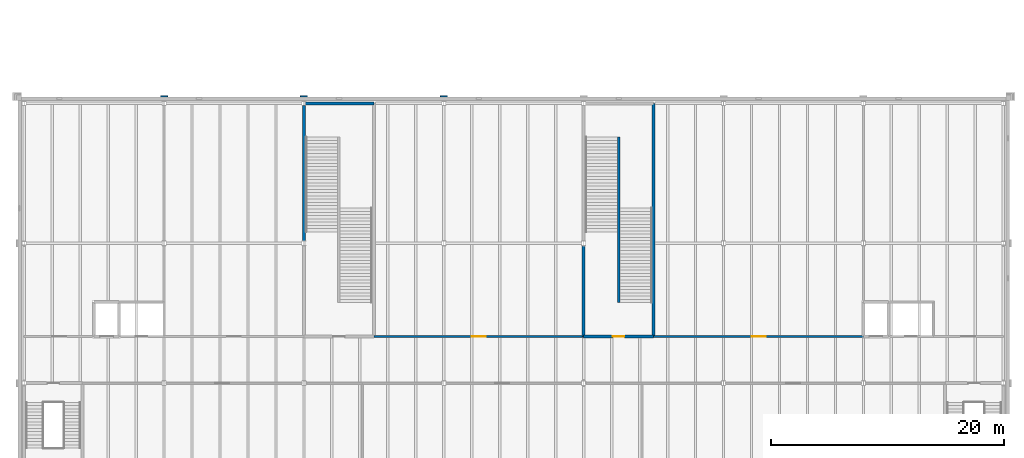
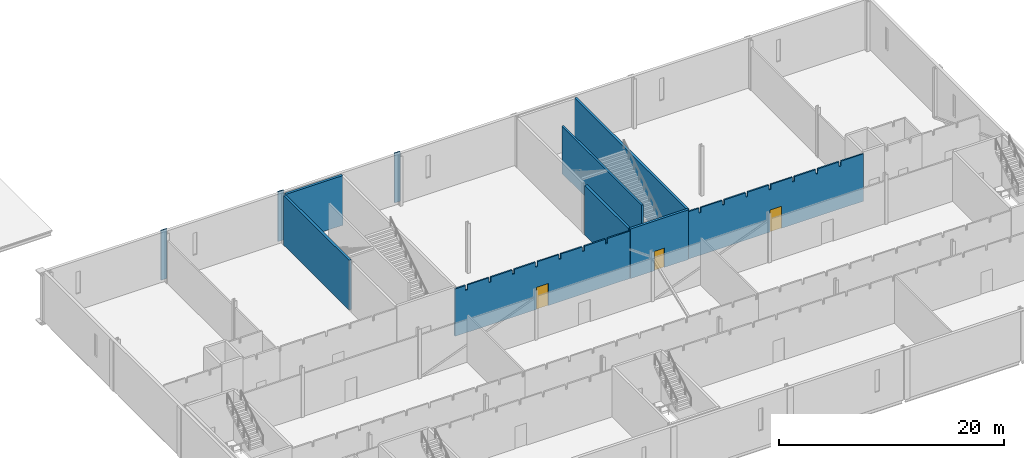
# One storey, part 106 of 170: 11 walls, 3 doors, 3 openings.
"""IFC4 building model written with IfcOpenShell, lengths in metres."""

import ifcopenshell
import ifcopenshell.guid

model = None  # the IFC model being written
_history = None  # IfcOwnerHistory: only IFC2X3 demands one
_inside = {}  # id of a spatial element -> (the spatial element, [elements in it])
_under = {}  # id of a project, library or spatial element -> (it, [spatial elements below it])
_declared = {}  # id of a project -> (the project, [libraries it declares])
_typed = {}  # id of a type object -> (the type object, [elements of that type])
_made_of = {}  # id of a material, layer set ... -> (it, [elements and type objects made of it])


def new_model(schema):
    """Start an empty IFC model of exactly this schema.

    Asked for "IFC4X3", IfcOpenShell would pick the latest addendum, in which some entities
    have other attributes; the version numbers below select the first issue.
    IFC2X3 requires an IfcOwnerHistory on every rooted entity: one is made here for all.
    """
    global model, _history
    if schema == "IFC4X3":
        model = ifcopenshell.file(schema_version=(4, 3, 0, 0))
    else:
        model = ifcopenshell.file(schema=schema)
    _inside.clear()
    _under.clear()
    _declared.clear()
    _typed.clear()
    _made_of.clear()
    _history = None
    if model.schema == "IFC2X3":
        org = make("IfcOrganization", Name="unknown")
        user = make(
            "IfcPersonAndOrganization",
            ThePerson=make("IfcPerson", FamilyName="unknown"),
            TheOrganization=org,
        )
        app = make(
            "IfcApplication",
            ApplicationDeveloper=org,
            Version="unknown",
            ApplicationFullName="unknown",
            ApplicationIdentifier="unknown",
        )
        _history = make(
            "IfcOwnerHistory",
            OwningUser=user,
            OwningApplication=app,
            ChangeAction="ADDED",
            CreationDate=0,
        )
    return model


def make(cls, **values):
    """One entity of the class cls with the attributes given. An attribute that is None is left unset."""
    return model.create_entity(
        cls, **{name: value for name, value in values.items() if value is not None}
    )


def rooted(cls, **values):
    """An entity with a GlobalId (a new one), such as an element, a storey or a relation."""
    return make(cls, GlobalId=ifcopenshell.guid.new(), OwnerHistory=_history, **values)


def si_unit(unit_type, name, prefix=None):
    """IfcSIUnit, for example si_unit("LENGTHUNIT", "METRE", prefix="MILLI")."""
    return make("IfcSIUnit", UnitType=unit_type, Prefix=prefix, Name=name)


def assignment(units):
    """IfcUnitAssignment: the units of a project."""
    return None if units is None else make("IfcUnitAssignment", Units=units)


def point(xyz):
    """IfcCartesianPoint."""
    return None if xyz is None else make("IfcCartesianPoint", Coordinates=xyz)


def direction(xyz):
    """IfcDirection."""
    return None if xyz is None else make("IfcDirection", DirectionRatios=xyz)


def frame(location, z_axis=None, x_axis=None):
    """IfcAxis2Placement3D, a coordinate frame: its origin and axes. An axis left out is left unset."""
    return make(
        "IfcAxis2Placement3D",
        Location=point(location),
        Axis=direction(z_axis),
        RefDirection=direction(x_axis),
    )


def frame_2d(location, x_axis=None):
    """IfcAxis2Placement2D, a coordinate frame in the plane: its origin and x axis."""
    return make(
        "IfcAxis2Placement2D", Location=point(location), RefDirection=direction(x_axis)
    )


def origin():
    """The frame at (0, 0, 0) with its axes left unset."""
    return frame((0.0, 0.0, 0.0))


def place(relative_to, where):
    """IfcLocalPlacement: puts the frame where relative to a parent placement (None: the world)."""
    return make(
        "IfcLocalPlacement", PlacementRelTo=relative_to, RelativePlacement=where
    )


def context(
    kind, dimensions, precision=None, world=None, true_north=None, identifier=None
):
    """IfcGeometricRepresentationContext, for example the 3D "Model" context."""
    return make(
        "IfcGeometricRepresentationContext",
        ContextIdentifier=identifier,
        ContextType=kind,
        CoordinateSpaceDimension=dimensions,
        Precision=precision,
        WorldCoordinateSystem=world,
        TrueNorth=true_north,
    )


def subcontext(parent, identifier, kind, view, scale=None):
    """IfcGeometricRepresentationSubContext, for example "Body" below "Model"."""
    return make(
        "IfcGeometricRepresentationSubContext",
        ContextIdentifier=identifier,
        ContextType=kind,
        ParentContext=parent,
        TargetScale=scale,
        TargetView=view,
    )


def project(units=None, contexts=None):
    """IfcProject with its units and contexts."""
    return rooted(
        "IfcProject",
        Name="project",
        RepresentationContexts=contexts,
        UnitsInContext=assignment(units),
    )


def spatial(cls, under=None, at=None, **own):
    """A site, building, storey or space (cls), placed at a placement, below another one or the project."""
    s = rooted(cls, ObjectPlacement=at, **own)
    if under is not None:
        _under.setdefault(under.id(), (under, []))[1].append(s)
    return s


def polyline(points):
    """IfcPolyline through the points."""
    return make("IfcPolyline", Points=[point(p) for p in points])


def profile(cls, at=None, kind="AREA", **sizes):
    """A parametric profile (cls). Its sizes go by their IFC names, for example OverallWidth=200.0."""
    return make(cls, ProfileType=kind, Position=at, **sizes)


def rectangle(**sizes):
    """IfcRectangleProfileDef."""
    return profile("IfcRectangleProfileDef", **sizes)


def outline(outer, holes=None, kind="AREA"):
    """IfcArbitraryClosedProfileDef: a profile drawn as a closed curve; with holes, ...WithVoids."""
    if holes is None:
        return make("IfcArbitraryClosedProfileDef", ProfileType=kind, OuterCurve=outer)
    return make(
        "IfcArbitraryProfileDefWithVoids",
        ProfileType=kind,
        OuterCurve=outer,
        InnerCurves=holes,
    )


def extrude(swept, where, along, depth):
    """IfcExtrudedAreaSolid: the profile swept, set in the frame where, extruded along a direction by depth."""
    return make(
        "IfcExtrudedAreaSolid",
        SweptArea=swept,
        Position=where,
        ExtrudedDirection=direction(along),
        Depth=depth,
    )


def shape(context_of_items, identifier, shape_type, items):
    """IfcShapeRepresentation: the items that make up one representation, for example the "Body"."""
    return make(
        "IfcShapeRepresentation",
        ContextOfItems=context_of_items,
        RepresentationIdentifier=identifier,
        RepresentationType=shape_type,
        Items=items,
    )


def material(Name=None, Category=None):
    """IfcMaterial."""
    return make("IfcMaterial", Name=Name, Category=Category)


def layer(
    of_material, thickness, ventilated=None, Name=None, Category=None, Priority=None
):
    """IfcMaterialLayer: one layer of a wall or slab, of a material (None: an air gap)."""
    return make(
        "IfcMaterialLayer",
        Material=of_material,
        LayerThickness=thickness,
        IsVentilated=ventilated,
        Name=Name,
        Category=Category,
        Priority=Priority,
    )


def layer_set(layers, Name=None):
    """IfcMaterialLayerSet."""
    return make("IfcMaterialLayerSet", MaterialLayers=layers, LayerSetName=Name)


def made_of(thing, what):
    """Note that an element or type object is made of a material, layer set ...; save() writes the relation."""
    if what is not None:
        _made_of.setdefault(what.id(), (what, []))[1].append(thing)
    return thing


def type_object(cls, material=None, **own):
    """A type object (cls), such as IfcWallType, which elements share."""
    return made_of(rooted(cls, **own), material)


def element(
    cls,
    number,
    at=None,
    inside=None,
    cuts=None,
    type_object=None,
    material=None,
    context=None,
    identifier="Body",
    shape_type=None,
    held_by="IfcProductDefinitionShape",
    body=None,
    shapes=None,
    **own,
):
    """One element of the class cls, such as IfcWall. Its Tag is "e" and its number.

    at: its placement. inside: the storey or other place that contains it. cuts: it is an
    opening in that element (IfcRelVoidsElement). A single representation is given by context,
    identifier, shape_type and body (its items); several are given by shapes. held_by: the class
    of the entity that holds the representations. save() writes the other relations.
    """
    e = rooted(cls, Tag="e%d" % number, ObjectPlacement=at, **own)
    if body is not None:
        shapes = [shape(context, identifier, shape_type, body)]
    if shapes is not None:
        e.Representation = make(held_by, Representations=shapes)
    if inside is not None:
        _inside.setdefault(inside.id(), (inside, []))[1].append(e)
    if cuts is not None:
        rooted(
            "IfcRelVoidsElement", RelatingBuildingElement=cuts, RelatedOpeningElement=e
        )
    if type_object is not None:
        _typed.setdefault(type_object.id(), (type_object, []))[1].append(e)
    return made_of(e, material)


def fill(opening, filler):
    """IfcRelFillsElement: the door or window that sits in an opening."""
    return rooted(
        "IfcRelFillsElement",
        RelatingOpeningElement=opening,
        RelatedBuildingElement=filler,
    )


def aggregate(whole, parts):
    """IfcRelAggregates: a whole, such as a stair, and the parts it consists of."""
    return rooted("IfcRelAggregates", RelatingObject=whole, RelatedObjects=parts)


def save(model, path):
    """Write the relations noted so far, then the file.

    IfcRelAggregates (storeys below a building ...), IfcRelContainedInSpatialStructure (elements
    in a storey), IfcRelDefinesByType, IfcRelAssociatesMaterial and IfcRelDeclares: one each for
    every whole, place, type object, material and project.
    """
    for whole, parts in _under.values():
        aggregate(whole, parts)
    for where, things in _inside.values():
        rooted(
            "IfcRelContainedInSpatialStructure",
            RelatedElements=things,
            RelatingStructure=where,
        )
    for kind, things in _typed.values():
        rooted("IfcRelDefinesByType", RelatedObjects=things, RelatingType=kind)
    for what, things in _made_of.values():
        rooted("IfcRelAssociatesMaterial", RelatedObjects=things, RelatingMaterial=what)
    for by, libraries in _declared.values():
        rooted("IfcRelDeclares", RelatingContext=by, RelatedDefinitions=libraries)
    model.write(path)


model = new_model("IFC4")

# Units and contexts
model_context = context("Model", 3, precision=1e-05, world=origin(), true_north=direction((0.0, 1.0)))
body_context = subcontext(model_context, "Body", "Model", "MODEL_VIEW")
ifc_project = project(units=[si_unit("LENGTHUNIT", "METRE"), si_unit("AREAUNIT", "SQUARE_METRE"), si_unit("VOLUMEUNIT", "CUBIC_METRE"), si_unit("PLANEANGLEUNIT", "RADIAN"), si_unit("MASSUNIT", "GRAM", prefix="KILO")], contexts=[model_context])

# Site, building, storey
site_placement = place(None, origin())
site = spatial("IfcSite", under=ifc_project, at=site_placement, CompositionType="ELEMENT")
building_placement = place(site_placement, origin())
building = spatial("IfcBuilding", under=site, at=building_placement, Name="Ravi Spectrum Wholesale Market", CompositionType="ELEMENT")
storey_placement = place(building_placement, frame((0.0, 0.0, 5.39990234375)))
storey = spatial("IfcBuildingStorey", under=building, at=storey_placement, Name="L01", CompositionType="ELEMENT", Elevation=5.39990234375)

# Walls
ifc_material_1 = material(Name="Facing brickwork", Category="masonry")
ifc_layer_1 = layer(ifc_material_1, 0.114990234375)
ifc_layer_set_1 = layer_set([ifc_layer_1], Name="Facing brickwork")
wall_type_1 = type_object("IfcWallType", Name="Brick pilaster 115", PredefinedType="SOLIDWALL", material=ifc_layer_set_1)
for number, where, z_axis, x_axis, name in (
    (1, (234.300048828125, 66.607421875, 0.0), (0.0, 0.0, 1.0), (-1.0, 0.0, 0.0), "CS-WL-L01-074"),
    (2, (222.300048828125, 66.607421875, 0.0), (0.0, 0.0, 1.0), (-1.0, 0.0, 0.0), "CS-WL-L01-075"),
    (3, (210.300048828125, 66.607421875, 0.0), (0.0, 0.0, 1.0), (-1.0, 0.0, 0.0), "CS-WL-L01-076"),
):
    element("IfcWall", number, at=place(storey_placement, frame(where, z_axis=z_axis, x_axis=x_axis)), inside=storey, type_object=wall_type_1, Name=name, PredefinedType="SOLIDWALL", context=body_context, shape_type="SweptSolid", body=[
        extrude(rectangle(XDim=0.60009765625, YDim=0.114990234375, at=frame_2d((0.300048828125, 0.0))), origin(), (0.0, 0.0, 1.0), 5.400146484375),
    ])

# Wall, opening, door
ifc_material_2 = material(Name="Insulated panel")
ifc_layer_2 = layer(ifc_material_2, 0.14990234375)
ifc_layer_set_2 = layer_set([ifc_layer_2], Name="Insulated panel")
wall_type_2 = type_object("IfcWallType", Name="Cold store panel 150", PredefinedType="PARTITIONING", material=ifc_layer_set_2)
wall_1_placement = place(storey_placement, frame((228.0, 46.0, 0.0), z_axis=(0.0, 0.0, 1.0), x_axis=(1.0, 0.0, 0.0)))
wall_1 = element("IfcWall", 4, at=wall_1_placement, inside=storey, type_object=wall_type_2, Name="CS-WL-L01-104", PredefinedType="PARTITIONING", context=body_context, shape_type="SweptSolid", body=[
    extrude(outline(polyline([(0.0, 0.0), (18.0, 0.0), (18.0, 5.150146484375), (15.705078125, 5.150146484375), (15.699951171875, 4.630126953125), (15.5, 4.630126953125), (15.4951171875, 5.150146484375), (13.304931640625, 5.150146484375), (13.300048828125, 4.630126953125), (13.10009765625, 4.630126953125), (13.094970703125, 5.150146484375), (10.905029296875, 5.150146484375), (10.89990234375, 4.630126953125), (10.699951171875, 4.630126953125), (10.695068359375, 5.150146484375), (8.5048828125, 5.150146484375), (8.5, 4.630126953125), (8.300048828125, 4.630126953125), (8.294921875, 5.150146484375), (6.10009765625, 5.150146484375), (6.094970703125, 4.68017578125), (5.905029296875, 4.68017578125), (5.89990234375, 5.150146484375), (3.705078125, 5.150146484375), (3.699951171875, 4.630126953125), (3.5, 4.630126953125), (3.4951171875, 5.150146484375), (1.304931640625, 5.150146484375), (1.300048828125, 4.630126953125), (1.10009765625, 4.630126953125), (1.094970703125, 5.150146484375), (0.0, 5.150146484375), (0.0, 0.0)])), frame((0.0, 0.074951171875, 0.0), z_axis=(0.0, -1.0, 0.0), x_axis=(1.0, 0.0, 0.0)), (0.0, 0.0, 1.0), 0.14990234375),
])
opening_1_placement = place(wall_1_placement, frame((8.39990234375, 0.0, 0.0)))
opening_1 = element("IfcOpeningElement", 5, at=opening_1_placement, cuts=wall_1, Name="Opening D515", PredefinedType="OPENING", context=body_context, shape_type="SweptSolid", body=[
    extrude(rectangle(XDim=1.199951171875, YDim=2.39990234375, at=frame_2d((0.60009765625, 1.199951171875))), frame((0.0, 0.0849609375, 0.0), z_axis=(0.0, -1.0, 0.0), x_axis=(1.0, 0.0, 0.0)), (0.0, 0.0, 1.0), 0.169921875),
])
ifc_material_3 = material(Name="Insulated panel door")
door_type_1 = type_object("IfcDoorType", Name="Cold store insulated door 1200 x 2400", OperationType="SINGLE_SWING_LEFT", PredefinedType="DOOR", material=ifc_material_3)
door_1_placement = place(opening_1_placement, origin())
door_1 = element("IfcDoor", 6, at=door_1_placement, inside=storey, type_object=door_type_1, Name="Door D515", OperationType="SINGLE_SWING_LEFT", OverallHeight=2.39990234375, OverallWidth=1.199951171875, PredefinedType="DOOR", context=body_context, shape_type="SweptSolid", body=[
    extrude(rectangle(XDim=1.199951171875, YDim=2.39990234375, at=frame_2d((0.60009765625, 1.199951171875))), frame((0.0, 0.02490234375, 0.0), z_axis=(0.0, -1.0, 0.0), x_axis=(1.0, 0.0, 0.0)), (0.0, 0.0, 1.0), 0.050048828125),
])
fill(opening_1, door_1)

wall_2_placement = place(storey_placement, frame((252.0, 46.0, 0.0), z_axis=(0.0, 0.0, 1.0), x_axis=(1.0, 0.0, 0.0)))
wall_2 = element("IfcWall", 7, at=wall_2_placement, inside=storey, type_object=wall_type_2, Name="CS-WL-L01-105", PredefinedType="PARTITIONING", context=body_context, shape_type="SweptSolid", body=[
    extrude(outline(polyline([(0.0, 0.0), (18.0, 0.0), (18.0, 5.150146484375), (15.705078125, 5.150146484375), (15.699951171875, 4.630126953125), (15.5, 4.630126953125), (15.4951171875, 5.150146484375), (13.304931640625, 5.150146484375), (13.300048828125, 4.630126953125), (13.10009765625, 4.630126953125), (13.094970703125, 5.150146484375), (10.905029296875, 5.150146484375), (10.89990234375, 4.630126953125), (10.699951171875, 4.630126953125), (10.695068359375, 5.150146484375), (8.5048828125, 5.150146484375), (8.5, 4.630126953125), (8.300048828125, 4.630126953125), (8.294921875, 5.150146484375), (6.10009765625, 5.150146484375), (6.094970703125, 4.68017578125), (5.905029296875, 4.68017578125), (5.89990234375, 5.150146484375), (3.705078125, 5.150146484375), (3.699951171875, 4.630126953125), (3.5, 4.630126953125), (3.4951171875, 5.150146484375), (1.304931640625, 5.150146484375), (1.300048828125, 4.630126953125), (1.10009765625, 4.630126953125), (1.094970703125, 5.150146484375), (0.0, 5.150146484375), (0.0, 0.0)])), frame((0.0, 0.074951171875, 0.0), z_axis=(0.0, -1.0, 0.0), x_axis=(1.0, 0.0, 0.0)), (0.0, 0.0, 1.0), 0.14990234375),
])
opening_2_placement = place(wall_2_placement, frame((8.39990234375, 0.0, 0.0)))
opening_2 = element("IfcOpeningElement", 8, at=opening_2_placement, cuts=wall_2, Name="Opening D516", PredefinedType="OPENING", context=body_context, shape_type="SweptSolid", body=[
    extrude(rectangle(XDim=1.199951171875, YDim=2.39990234375, at=frame_2d((0.60009765625, 1.199951171875))), frame((0.0, 0.0849609375, 0.0), z_axis=(0.0, -1.0, 0.0), x_axis=(1.0, 0.0, 0.0)), (0.0, 0.0, 1.0), 0.169921875),
])
door_2_placement = place(opening_2_placement, origin())
door_2 = element("IfcDoor", 9, at=door_2_placement, inside=storey, type_object=door_type_1, Name="Door D516", OperationType="SINGLE_SWING_LEFT", OverallHeight=2.39990234375, OverallWidth=1.199951171875, PredefinedType="DOOR", context=body_context, shape_type="SweptSolid", body=[
    extrude(rectangle(XDim=1.199951171875, YDim=2.39990234375, at=frame_2d((0.60009765625, 1.199951171875))), frame((0.0, 0.02490234375, 0.0), z_axis=(0.0, -1.0, 0.0), x_axis=(1.0, 0.0, 0.0)), (0.0, 0.0, 1.0), 0.050048828125),
])
fill(opening_2, door_2)

# Walls
ifc_material_4 = material(Name="Concrete C35/45", Category="concrete")
ifc_layer_3 = layer(ifc_material_4, 0.25)
ifc_layer_set_3 = layer_set([ifc_layer_3], Name="Concrete C35/45")
wall_type_3 = type_object("IfcWallType", Name="Concrete core wall 250", PredefinedType="SHEAR", material=ifc_layer_set_3)
wall_3_placement = place(storey_placement, frame((222.14990234375, 66.0, 0.0), z_axis=(0.0, 0.0, 1.0), x_axis=(1.0, 0.0, 0.0)))
element("IfcWall", 10, at=wall_3_placement, inside=storey, type_object=wall_type_3, Name="Stair core wall Stair S-CS-3", PredefinedType="SHEAR", context=body_context, shape_type="SweptSolid", body=[
    extrude(rectangle(XDim=5.85009765625, YDim=0.25, at=frame_2d((2.925048828125, 0.0))), origin(), (0.0, 0.0, 1.0), 5.400146484375),
])
wall_4_placement = place(storey_placement, frame((222.0, 54.199951171875, 0.0), z_axis=(0.0, 0.0, 1.0), x_axis=(0.0, 1.0, 0.0)))
element("IfcWall", 11, at=wall_4_placement, inside=storey, type_object=wall_type_3, Name="Stair core wall Stair S-CS-3", PredefinedType="SHEAR", context=body_context, shape_type="SweptSolid", body=[
    extrude(rectangle(XDim=11.630126953125, YDim=0.25, at=frame_2d((5.81494140625, 0.0))), origin(), (0.0, 0.0, 1.0), 5.400146484375),
])

# Wall, opening, door
wall_5_placement = place(storey_placement, frame((246.0, 46.0, 0.0), z_axis=(0.0, 0.0, 1.0), x_axis=(1.0, 0.0, 0.0)))
wall_5 = element("IfcWall", 12, at=wall_5_placement, inside=storey, type_object=wall_type_3, Name="Stair core wall Stair S-CS-5", PredefinedType="SHEAR", context=body_context, shape_type="SweptSolid", body=[
    extrude(rectangle(XDim=6.0, YDim=0.25, at=frame_2d((3.0, 0.0))), origin(), (0.0, 0.0, 1.0), 5.400146484375),
])
opening_3_placement = place(wall_5_placement, frame((2.5, 0.0, 0.0)))
opening_3 = element("IfcOpeningElement", 13, at=opening_3_placement, cuts=wall_5, Name="Opening D498", PredefinedType="OPENING", context=body_context, shape_type="SweptSolid", body=[
    extrude(rectangle(XDim=1.0, YDim=2.10009765625, at=frame_2d((0.5, 1.050048828125))), frame((0.0, 0.135009765625, 0.0), z_axis=(0.0, -1.0, 0.0), x_axis=(1.0, 0.0, 0.0)), (0.0, 0.0, 1.0), 0.27001953125),
])
ifc_material_5 = material(Name="Steel door", Category="steel")
door_type_2 = type_object("IfcDoorType", Name="Stair door 1000 x 2100", OperationType="SINGLE_SWING_LEFT", PredefinedType="DOOR", material=ifc_material_5)
door_3_placement = place(opening_3_placement, origin())
door_3 = element("IfcDoor", 14, at=door_3_placement, inside=storey, type_object=door_type_2, Name="Door D498", OperationType="SINGLE_SWING_RIGHT", OverallHeight=2.10009765625, OverallWidth=1.0, PredefinedType="DOOR", context=body_context, shape_type="SweptSolid", body=[
    extrude(rectangle(XDim=1.0, YDim=2.10009765625, at=frame_2d((0.5, 1.050048828125))), frame((0.0, 0.02490234375, 0.0), z_axis=(0.0, -1.0, 0.0), x_axis=(1.0, 0.0, 0.0)), (0.0, 0.0, 1.0), 0.050048828125),
])
fill(opening_3, door_3)

# Walls
wall_6_placement = place(storey_placement, frame((252.0, 46.0, 0.0), z_axis=(0.0, 0.0, 1.0), x_axis=(0.0, 1.0, 0.0)))
element("IfcWall", 15, at=wall_6_placement, inside=storey, type_object=wall_type_3, Name="Stair core wall Stair S-CS-5", PredefinedType="SHEAR", context=body_context, shape_type="SweptSolid", body=[
    extrude(rectangle(XDim=20.0, YDim=0.25, at=frame_2d((10.0, 0.0))), origin(), (0.0, 0.0, 1.0), 5.400146484375),
])
wall_7_placement = place(storey_placement, frame((246.0, 46.0, 0.0), z_axis=(0.0, 0.0, 1.0), x_axis=(0.0, 1.0, 0.0)))
element("IfcWall", 16, at=wall_7_placement, inside=storey, type_object=wall_type_3, Name="Stair core wall Stair S-CS-5", PredefinedType="SHEAR", context=body_context, shape_type="SweptSolid", body=[
    extrude(rectangle(XDim=7.800048828125, YDim=0.25, at=frame_2d((3.89990234375, 0.0))), origin(), (0.0, 0.0, 1.0), 5.400146484375),
])
ifc_material_6 = material(Name="Concrete C35/45", Category="concrete")
ifc_layer_4 = layer(ifc_material_6, 0.199951171875)
ifc_layer_set_4 = layer_set([ifc_layer_4], Name="Concrete C35/45")
wall_type_4 = type_object("IfcWallType", Name="Concrete stair divider 200", PredefinedType="SHEAR", material=ifc_layer_set_4)
wall_8_placement = place(storey_placement, frame((249.0, 48.89990234375, 0.0), z_axis=(0.0, 0.0, 1.0), x_axis=(0.0, 1.0, 0.0)))
element("IfcWall", 17, at=wall_8_placement, inside=storey, type_object=wall_type_4, Name="Stair divider wall S-CS-5", PredefinedType="SHEAR", context=body_context, shape_type="SweptSolid", body=[
    extrude(rectangle(XDim=14.2001953125, YDim=0.199951171875, at=frame_2d((7.10009765625, 0.0))), origin(), (0.0, 0.0, 1.0), 5.150146484375),
])

save(model, "model.ifc")
